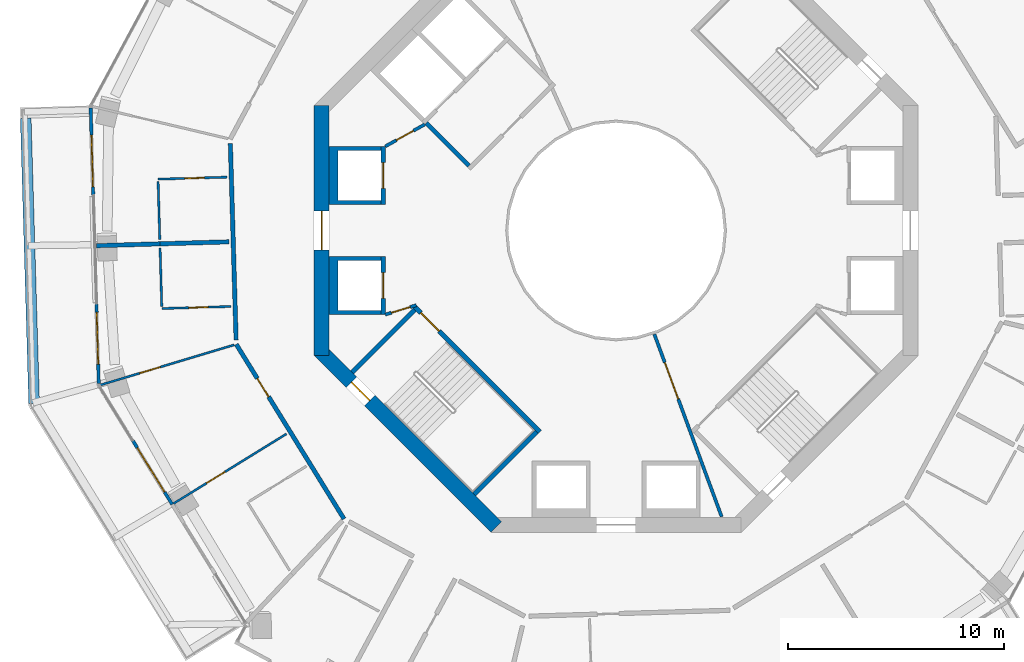
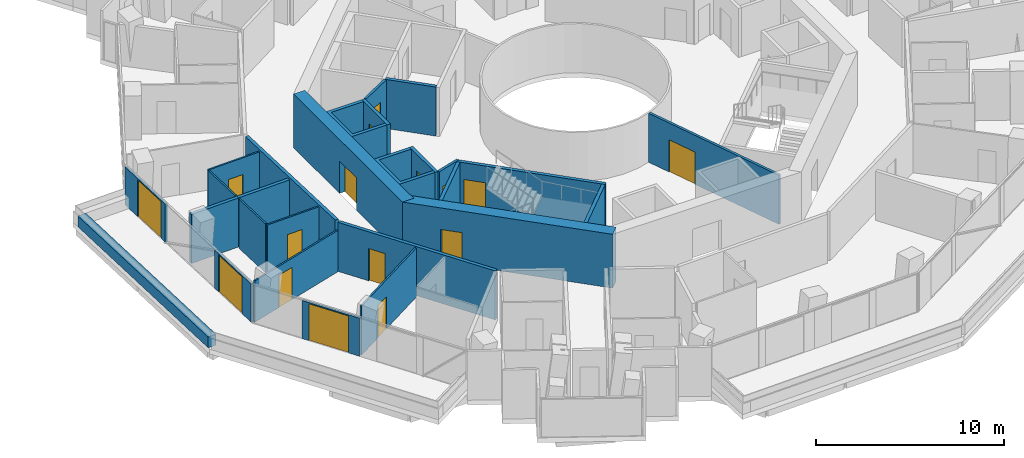
# One storey, part 15 of 22: 27 walls, 16 doors, 16 openings.
"""IFC4 building model written with IfcOpenShell, lengths in metres."""

from ifc_helpers import new_model, si_unit, direction, frame, frame_2d, origin, place, context, subcontext, project, spatial, polyline, rectangle, outline, extrude, material, layer, layer_set, type_object, element, fill, save


model = new_model("IFC4")

# Units and contexts
model_context = context("Model", 3, precision=1e-05, world=origin(), true_north=direction((0.0, 1.0)))
body_context = subcontext(model_context, "Body", "Model", "MODEL_VIEW")
ifc_project = project(units=[si_unit("LENGTHUNIT", "METRE"), si_unit("AREAUNIT", "SQUARE_METRE"), si_unit("VOLUMEUNIT", "CUBIC_METRE"), si_unit("PLANEANGLEUNIT", "RADIAN"), si_unit("MASSUNIT", "GRAM", prefix="KILO")], contexts=[model_context])

# Site, building, storey
site_placement = place(None, origin())
site = spatial("IfcSite", under=ifc_project, at=site_placement, CompositionType="ELEMENT")
building_placement = place(site_placement, origin())
building = spatial("IfcBuilding", under=site, at=building_placement, Name="Verdalira Terraces Hotel", CompositionType="ELEMENT")
storey_placement = place(building_placement, frame((0.0, 0.0, 162.0)))
storey = spatial("IfcBuildingStorey", under=building, at=storey_placement, Name="L39", CompositionType="ELEMENT", Elevation=162.0)

# Walls
ifc_material_1 = material(Name="Concrete C40", Category="concrete")
ifc_layer_1 = layer(ifc_material_1, 0.5)
ifc_layer_set_1 = layer_set([ifc_layer_1], Name="Balcony planter trough with tree")
wall_type_1 = type_object("IfcWallType", Name="Balcony planter trough with tree", PredefinedType="SOLIDWALL", material=ifc_layer_set_1)
wall_1_placement = place(storey_placement, frame((-27.372559, 5.199707, 0.0), z_axis=(0.0, 0.0, 1.0), x_axis=(0.029318754, -0.999570113, 0.0)))
element("IfcWall", 1, at=wall_1_placement, inside=storey, type_object=wall_type_1, Name="Balcony planter", PredefinedType="SOLIDWALL", context=body_context, shape_type="SweptSolid", body=[
    extrude(rectangle(XDim=13.223389, YDim=0.5, at=frame_2d((6.611816, 0.0))), origin(), (0.0, 0.0, 1.0), 0.699951),
])
ifc_material_2 = material(Name="Moisture-resistant gypsum board partition")
ifc_layer_2 = layer(ifc_material_2, 0.10009765625)
ifc_layer_set_2 = layer_set([ifc_layer_2], Name="Bathroom partition 100 mm")
wall_type_2 = type_object("IfcWallType", Name="Bathroom partition 100 mm", PredefinedType="PARTITIONING", material=ifc_layer_set_2)
for number, where, z_axis, x_axis, name in (
    (2, (-21.234375, 2.27832, 0.0), (0.0, 0.0, 1.0), (0.029388422, -0.999568067, 0.0), "Bathroom partition"),
    (3, (-21.143311, -0.820312, 0.0), (0.0, 0.0, 1.0), (0.029298074, -0.999570719, 0.0), "Bathroom partition"),
):
    element("IfcWall", number, at=place(storey_placement, frame(where, z_axis=z_axis, x_axis=x_axis)), inside=storey, type_object=wall_type_2, Name=name, PredefinedType="PARTITIONING", context=body_context, shape_type="SweptSolid", body=[
        extrude(rectangle(XDim=2.699951, YDim=0.100098, at=frame_2d((1.350098, 0.0))), origin(), (0.0, 0.0, 1.0), 3.189941),
    ])

# Wall, opening, door
wall_2_placement = place(storey_placement, frame((-18.038574, 2.472168, 0.0), z_axis=(0.0, 0.0, 1.0), x_axis=(-0.999570782, -0.029295923, 0.0)))
wall_2 = element("IfcWall", 4, at=wall_2_placement, inside=storey, type_object=wall_type_2, Name="Bathroom partition", PredefinedType="PARTITIONING", context=body_context, shape_type="SweptSolid", body=[
    extrude(rectangle(XDim=3.200195, YDim=0.100098, at=frame_2d((1.600098, 0.0))), origin(), (0.0, 0.0, 1.0), 3.189941),
])
opening_1_placement = place(wall_2_placement, frame((1.050049, 0.0, 0.0)))
opening_1 = element("IfcOpeningElement", 5, at=opening_1_placement, cuts=wall_2, Name="Opening L39-110", PredefinedType="OPENING", context=body_context, shape_type="SweptSolid", body=[
    extrude(rectangle(XDim=0.899902, YDim=2.100098, at=frame_2d((0.449951, 1.050049))), frame((0.0, 0.060059, 0.0), z_axis=(0.0, -1.0, 0.0), x_axis=(1.0, 0.0, 0.0)), (0.0, 0.0, 1.0), 0.120117),
])
ifc_material_3 = material(Name="Timber door", Category="wood")
door_type_1 = type_object("IfcDoorType", Name="Bathroom door 900 x 2100", OperationType="NOTDEFINED", PredefinedType="DOOR", material=ifc_material_3)
door_1_placement = place(opening_1_placement, origin())
door_1 = element("IfcDoor", 6, at=door_1_placement, inside=storey, type_object=door_type_1, Name="Bathroom door 3902", OperationType="SINGLE_SWING_RIGHT", OverallHeight=2.10009765625, OverallWidth=0.89990234375, PredefinedType="DOOR", context=body_context, shape_type="SweptSolid", body=[
    extrude(rectangle(XDim=0.899902, YDim=2.100098, at=frame_2d((0.449951, 1.050049))), frame((0.0, 0.024902, 0.0), z_axis=(0.0, -1.0, 0.0), x_axis=(1.0, 0.0, 0.0)), (0.0, 0.0, 1.0), 0.050049),
])
fill(opening_1, door_1)

wall_3_placement = place(storey_placement, frame((-21.061279, -3.618896, 0.0), z_axis=(0.0, 0.0, 1.0), x_axis=(0.999570717, 0.029298157, 0.0)))
wall_3 = element("IfcWall", 7, at=wall_3_placement, inside=storey, type_object=wall_type_2, Name="Bathroom partition", PredefinedType="PARTITIONING", context=body_context, shape_type="SweptSolid", body=[
    extrude(rectangle(XDim=3.199951, YDim=0.100098, at=frame_2d((1.600098, 0.0))), origin(), (0.0, 0.0, 1.0), 3.189941),
])
opening_2_placement = place(wall_3_placement, frame((1.25, 0.0, 0.0)))
opening_2 = element("IfcOpeningElement", 8, at=opening_2_placement, cuts=wall_3, Name="Opening L39-114", PredefinedType="OPENING", context=body_context, shape_type="SweptSolid", body=[
    extrude(rectangle(XDim=0.899902, YDim=2.100098, at=frame_2d((0.449951, 1.050049))), frame((0.0, 0.060059, 0.0), z_axis=(0.0, -1.0, 0.0), x_axis=(1.0, 0.0, 0.0)), (0.0, 0.0, 1.0), 0.120117),
])
door_2_placement = place(opening_2_placement, origin())
door_2 = element("IfcDoor", 9, at=door_2_placement, inside=storey, type_object=door_type_1, Name="Bathroom door 3903", OperationType="SINGLE_SWING_LEFT", OverallHeight=2.10009765625, OverallWidth=0.89990234375, PredefinedType="DOOR", context=body_context, shape_type="SweptSolid", body=[
    extrude(rectangle(XDim=0.899902, YDim=2.100098, at=frame_2d((0.449951, 1.050049))), frame((0.0, 0.024902, 0.0), z_axis=(0.0, -1.0, 0.0), x_axis=(1.0, 0.0, 0.0)), (0.0, 0.0, 1.0), 0.050049),
])
fill(opening_2, door_2)

wall_4_placement = place(storey_placement, frame((-15.282471, -9.431396, 0.0), z_axis=(0.0, 0.0, 1.0), x_axis=(-0.85100204, -0.525162382, 0.0)))
wall_4 = element("IfcWall", 10, at=wall_4_placement, inside=storey, type_object=wall_type_2, Name="Bathroom partition", PredefinedType="PARTITIONING", context=body_context, shape_type="SweptSolid", body=[
    extrude(rectangle(XDim=6.149902, YDim=0.100098, at=frame_2d((3.074951, 0.0))), origin(), (0.0, 0.0, 1.0), 3.189941),
])
opening_3_placement = place(wall_4_placement, frame((3.350098, 0.0, 0.0)))
opening_3 = element("IfcOpeningElement", 11, at=opening_3_placement, cuts=wall_4, Name="Opening L39-113", PredefinedType="OPENING", context=body_context, shape_type="SweptSolid", body=[
    extrude(rectangle(XDim=1.0, YDim=2.100098, at=frame_2d((0.5, 1.050049))), frame((0.0, 0.060059, 0.0), z_axis=(0.0, -1.0, 0.0), x_axis=(1.0, 0.0, 0.0)), (0.0, 0.0, 1.0), 0.120117),
])
ifc_material_4 = material(Name="Timber door", Category="wood")
door_type_2 = type_object("IfcDoorType", Name="Suite internal door 1000 x 2100", OperationType="NOTDEFINED", PredefinedType="DOOR", material=ifc_material_4)
door_3_placement = place(opening_3_placement, origin())
door_3 = element("IfcDoor", 12, at=door_3_placement, inside=storey, type_object=door_type_2, Name="Suite internal door 3903", OperationType="SINGLE_SWING_LEFT", OverallHeight=2.10009765625, OverallWidth=1.0, PredefinedType="DOOR", context=body_context, shape_type="SweptSolid", body=[
    extrude(rectangle(XDim=1.0, YDim=2.100098, at=frame_2d((0.5, 1.050049))), frame((0.0, 0.024902, 0.0), z_axis=(0.0, -1.0, 0.0), x_axis=(1.0, 0.0, 0.0)), (0.0, 0.0, 1.0), 0.050049),
])
fill(opening_3, door_3)

ifc_material_5 = material(Name="Moisture-resistant gypsum board partition")
ifc_layer_3 = layer(ifc_material_5, 0.10009765625)
ifc_layer_set_3 = layer_set([ifc_layer_3], Name="Bathroom partition 100 mm to beam soffit")
wall_type_3 = type_object("IfcWallType", Name="Bathroom partition 100 mm to beam soffit", PredefinedType="PARTITIONING", material=ifc_layer_set_3)
wall_5_placement = place(storey_placement, frame((-23.913818, -7.165283, 0.0), z_axis=(0.0, 0.0, 1.0), x_axis=(0.957926876, 0.28701237, 0.0)))
wall_5 = element("IfcWall", 13, at=wall_5_placement, inside=storey, type_object=wall_type_3, Name="Bathroom partition", PredefinedType="PARTITIONING", context=body_context, shape_type="SweptSolid", body=[
    extrude(rectangle(XDim=6.47583, YDim=0.100098, at=frame_2d((3.237793, 0.0))), origin(), (0.0, 0.0, 1.0), 2.689941),
])
opening_4_placement = place(wall_5_placement, frame((1.899902, 0.0, 0.0)))
opening_4 = element("IfcOpeningElement", 14, at=opening_4_placement, cuts=wall_5, Name="Opening L39-112", PredefinedType="OPENING", context=body_context, shape_type="SweptSolid", body=[
    extrude(rectangle(XDim=1.0, YDim=2.100098, at=frame_2d((0.5, 1.050049))), frame((0.0, 0.060059, 0.0), z_axis=(0.0, -1.0, 0.0), x_axis=(1.0, 0.0, 0.0)), (0.0, 0.0, 1.0), 0.120117),
])
door_4_placement = place(opening_4_placement, origin())
door_4 = element("IfcDoor", 15, at=door_4_placement, inside=storey, type_object=door_type_2, Name="Suite internal door 3903", OperationType="SINGLE_SWING_LEFT", OverallHeight=2.10009765625, OverallWidth=1.0, PredefinedType="DOOR", context=body_context, shape_type="SweptSolid", body=[
    extrude(rectangle(XDim=1.0, YDim=2.100098, at=frame_2d((0.5, 1.050049))), frame((0.0, 0.024902, 0.0), z_axis=(0.0, -1.0, 0.0), x_axis=(1.0, 0.0, 0.0)), (0.0, 0.0, 1.0), 0.050049),
])
fill(opening_4, door_4)

# Wall
ifc_material_6 = material(Name="Concrete C50", Category="concrete")
ifc_layer_4 = layer(ifc_material_6, 0.199951171875)
ifc_layer_set_4 = layer_set([ifc_layer_4], Name="Core RC wall 200 C50")
wall_type_4 = type_object("IfcWallType", Name="Core RC wall 200 C50", PredefinedType="SOLIDWALL", material=ifc_layer_set_4)
wall_6_placement = place(storey_placement, origin())
element("IfcWall", 16, at=wall_6_placement, inside=storey, type_object=wall_type_4, Name="L39 shaft wall W1", PredefinedType="SOLIDWALL", context=body_context, shape_type="SweptSolid", body=[
    extrude(outline(polyline([(-13.300049, 3.899902), (-10.899902, 3.899902), (-10.899902, 3.699951), (-12.899902, 3.699951), (-12.899902, 1.399902), (-10.899902, 1.399902), (-10.899902, 1.199951), (-13.300049, 1.199951), (-13.300049, 3.899902)])), origin(), (0.0, 0.0, 1.0), 3.189941),
])

# Wall, opening, door
wall_7_placement = place(storey_placement, frame((-10.800049, 1.199951, 0.0), z_axis=(0.0, 0.0, 1.0), x_axis=(0.0, 1.0, 0.0)))
wall_7 = element("IfcWall", 17, at=wall_7_placement, inside=storey, type_object=wall_type_4, Name="L39 shaft front wall W1", PredefinedType="SOLIDWALL", context=body_context, shape_type="SweptSolid", body=[
    extrude(rectangle(XDim=2.699951, YDim=0.199951, at=frame_2d((1.350098, 0.0))), origin(), (0.0, 0.0, 1.0), 3.189941),
])
opening_5_placement = place(wall_7_placement, frame((0.75, 0.0, 0.0)))
opening_5 = element("IfcOpeningElement", 18, at=opening_5_placement, cuts=wall_7, Name="Opening LD-L39-805", PredefinedType="OPENING", context=body_context, shape_type="SweptSolid", body=[
    extrude(rectangle(XDim=1.199951, YDim=2.100098, at=frame_2d((0.600098, 1.050049))), frame((0.0, 0.109863, 0.0), z_axis=(0.0, -1.0, 0.0), x_axis=(1.0, 0.0, 0.0)), (0.0, 0.0, 1.0), 0.219971),
])
ifc_material_7 = material(Name="Stainless steel", Category="steel")
door_type_3 = type_object("IfcDoorType", Name="Landing door 1200 x 2100", OperationType="NOTDEFINED", PredefinedType="DOOR", material=ifc_material_7)
door_5_placement = place(opening_5_placement, origin())
door_5 = element("IfcDoor", 19, at=door_5_placement, inside=storey, type_object=door_type_3, Name="Lift landing door LR5 L39", OperationType="DOUBLE_DOOR_SLIDING", OverallHeight=2.10009765625, OverallWidth=1.199951171875, PredefinedType="DOOR", context=body_context, shape_type="SweptSolid", body=[
    extrude(rectangle(XDim=1.199951, YDim=2.100098, at=frame_2d((0.600098, 1.050049))), frame((0.0, 0.024902, 0.0), z_axis=(0.0, -1.0, 0.0), x_axis=(1.0, 0.0, 0.0)), (0.0, 0.0, 1.0), 0.050049),
])
fill(opening_5, door_5)

# Wall
wall_8_placement = place(storey_placement, origin())
element("IfcWall", 20, at=wall_8_placement, inside=storey, type_object=wall_type_4, Name="L39 shaft wall W2", PredefinedType="SOLIDWALL", context=body_context, shape_type="SweptSolid", body=[
    extrude(outline(polyline([(-13.300049, -3.899902), (-13.300049, -1.199951), (-10.899902, -1.199951), (-10.899902, -1.399902), (-12.899902, -1.399902), (-12.899902, -3.699951), (-10.899902, -3.699951), (-10.899902, -3.899902), (-13.300049, -3.899902)])), origin(), (0.0, 0.0, 1.0), 3.189941),
])

# Wall, opening, door
wall_9_placement = place(storey_placement, frame((-10.800049, -1.199951, 0.0), z_axis=(0.0, 0.0, 1.0), x_axis=(0.0, -1.0, 0.0)))
wall_9 = element("IfcWall", 21, at=wall_9_placement, inside=storey, type_object=wall_type_4, Name="L39 shaft front wall W2", PredefinedType="SOLIDWALL", context=body_context, shape_type="SweptSolid", body=[
    extrude(rectangle(XDim=2.699951, YDim=0.199951, at=frame_2d((1.350098, 0.0))), origin(), (0.0, 0.0, 1.0), 3.189941),
])
opening_6_placement = place(wall_9_placement, frame((0.75, 0.0, 0.0)))
opening_6 = element("IfcOpeningElement", 22, at=opening_6_placement, cuts=wall_9, Name="Opening LD-L39-806", PredefinedType="OPENING", context=body_context, shape_type="SweptSolid", body=[
    extrude(rectangle(XDim=1.199951, YDim=2.100098, at=frame_2d((0.600098, 1.050049))), frame((0.0, 0.109863, 0.0), z_axis=(0.0, -1.0, 0.0), x_axis=(1.0, 0.0, 0.0)), (0.0, 0.0, 1.0), 0.219971),
])
door_6_placement = place(opening_6_placement, origin())
door_6 = element("IfcDoor", 23, at=door_6_placement, inside=storey, type_object=door_type_3, Name="Lift landing door LR6 L39", OperationType="DOUBLE_DOOR_SLIDING", OverallHeight=2.10009765625, OverallWidth=1.199951171875, PredefinedType="DOOR", context=body_context, shape_type="SweptSolid", body=[
    extrude(rectangle(XDim=1.199951, YDim=2.100098, at=frame_2d((0.600098, 1.050049))), frame((0.0, 0.024902, 0.0), z_axis=(0.0, -1.0, 0.0), x_axis=(1.0, 0.0, 0.0)), (0.0, 0.0, 1.0), 0.050049),
])
fill(opening_6, door_6)

wall_10_placement = place(storey_placement, frame((-3.5354, -9.33374, 0.0), z_axis=(0.0, 0.0, 1.0), x_axis=(-0.707106781, 0.707106781, 0.0)))
wall_10 = element("IfcWall", 24, at=wall_10_placement, inside=storey, type_object=wall_type_4, Name="L39 stair ST2 front wall", PredefinedType="SOLIDWALL", context=body_context, shape_type="SweptSolid", body=[
    extrude(rectangle(XDim=8.200195, YDim=0.199951, at=frame_2d((4.100098, 0.0))), origin(), (0.0, 0.0, 1.0), 3.189941),
])
opening_7_placement = place(wall_10_placement, frame((6.600098, 0.0, 0.0)))
opening_7 = element("IfcOpeningElement", 25, at=opening_7_placement, cuts=wall_10, Name="Opening L39-810", PredefinedType="OPENING", context=body_context, shape_type="SweptSolid", body=[
    extrude(rectangle(XDim=1.199951, YDim=2.100098, at=frame_2d((0.600098, 1.050049))), frame((0.0, 0.109863, 0.0), z_axis=(0.0, -1.0, 0.0), x_axis=(1.0, 0.0, 0.0)), (0.0, 0.0, 1.0), 0.219971),
])
ifc_material_8 = material(Name="Steel fire door", Category="steel")
door_type_4 = type_object("IfcDoorType", Name="Stair door 1200 x 2100", OperationType="NOTDEFINED", PredefinedType="DOOR", material=ifc_material_8)
door_7_placement = place(opening_7_placement, origin())
door_7 = element("IfcDoor", 26, at=door_7_placement, inside=storey, type_object=door_type_4, Name="Stair door ST2 L39", OperationType="SINGLE_SWING_RIGHT", OverallHeight=2.10009765625, OverallWidth=1.199951171875, PredefinedType="DOOR", context=body_context, shape_type="SweptSolid", body=[
    extrude(rectangle(XDim=1.199951, YDim=2.100098, at=frame_2d((0.600098, 1.050049))), frame((0.0, 0.024902, 0.0), z_axis=(0.0, -1.0, 0.0), x_axis=(1.0, 0.0, 0.0)), (0.0, 0.0, 1.0), 0.050049),
])
fill(opening_7, door_7)

# Walls
for number, where, z_axis, x_axis, name in (
    (27, (-9.33374, -3.677002, 0.0), (0.0, 0.0, 1.0), (-0.707106781, -0.707106781, 0.0), "L39 stair ST2 end wall 1"),
    (28, (-3.677002, -9.33374, 0.0), (0.0, 0.0, 1.0), (-0.707106781, -0.707106781, 0.0), "L39 stair ST2 end wall 2"),
):
    element("IfcWall", number, at=place(storey_placement, frame(where, z_axis=z_axis, x_axis=x_axis)), inside=storey, type_object=wall_type_4, Name=name, PredefinedType="SOLIDWALL", context=body_context, shape_type="SweptSolid", body=[
        extrude(rectangle(XDim=4.100098, YDim=0.199951, at=frame_2d((2.050049, 0.0))), origin(), (0.0, 0.0, 1.0), 3.189941),
    ])
wall_11_placement = place(storey_placement, frame((-6.823486, 3.005127, 0.0), z_axis=(0.0, 0.0, 1.0), x_axis=(-0.707106781, 0.707106781, 0.0)))
element("IfcWall", 29, at=wall_11_placement, inside=storey, type_object=wall_type_4, Name="L39 fire lobby wall", PredefinedType="SOLIDWALL", context=body_context, shape_type="SweptSolid", body=[
    extrude(rectangle(XDim=2.800049, YDim=0.199951, at=frame_2d((1.399902, 0.0))), origin(), (0.0, 0.0, 1.0), 3.189941),
])

# Wall, opening, door
ifc_material_9 = material(Name="Gypsum board partition")
ifc_layer_5 = layer(ifc_material_9, 0.14990234375)
ifc_layer_set_5 = layer_set([ifc_layer_5], Name="Core partition 150 mm")
wall_type_5 = type_object("IfcWallType", Name="Core partition 150 mm", PredefinedType="PARTITIONING", material=ifc_layer_set_5)
wall_12_placement = place(storey_placement, frame((-8.874268, 4.914307, 0.0), z_axis=(0.0, 0.0, 1.0), x_axis=(-0.874129705, -0.485692555, 0.0)))
wall_12 = element("IfcWall", 30, at=wall_12_placement, inside=storey, type_object=wall_type_5, Name="Room partition L39", PredefinedType="PARTITIONING", context=body_context, shape_type="SweptSolid", body=[
    extrude(rectangle(XDim=2.088623, YDim=0.149902, at=frame_2d((1.044434, 0.0))), origin(), (0.0, 0.0, 1.0), 3.189941),
])
opening_8_placement = place(wall_12_placement, frame((0.594238, 0.0, 0.0)))
opening_8 = element("IfcOpeningElement", 31, at=opening_8_placement, cuts=wall_12, Name="Opening L39-821", PredefinedType="OPENING", context=body_context, shape_type="SweptSolid", body=[
    extrude(rectangle(XDim=0.899902, YDim=2.100098, at=frame_2d((0.449951, 1.050049))), frame((0.0, 0.084961, 0.0), z_axis=(0.0, -1.0, 0.0), x_axis=(1.0, 0.0, 0.0)), (0.0, 0.0, 1.0), 0.169922),
])
ifc_material_10 = material(Name="Steel fire door", Category="steel")
door_type_5 = type_object("IfcDoorType", Name="Core room door 900 x 2100", OperationType="NOTDEFINED", PredefinedType="DOOR", material=ifc_material_10)
door_8_placement = place(opening_8_placement, origin())
door_8 = element("IfcDoor", 32, at=door_8_placement, inside=storey, type_object=door_type_5, Name="Door L39 room3", OperationType="SINGLE_SWING_LEFT", OverallHeight=2.10009765625, OverallWidth=0.89990234375, PredefinedType="DOOR", context=body_context, shape_type="SweptSolid", body=[
    extrude(rectangle(XDim=0.899902, YDim=2.100098, at=frame_2d((0.449951, 1.050049))), frame((0.0, 0.024902, 0.0), z_axis=(0.0, -1.0, 0.0), x_axis=(1.0, 0.0, 0.0)), (0.0, 0.0, 1.0), 0.050049),
])
fill(opening_8, door_8)

wall_13_placement = place(storey_placement, frame((-10.699951, -3.899902, 0.0), z_axis=(0.0, 0.0, 1.0), x_axis=(0.957084567, 0.289808785, 0.0)))
wall_13 = element("IfcWall", 33, at=wall_13_placement, inside=storey, type_object=wall_type_5, Name="Room partition L39", PredefinedType="PARTITIONING", context=body_context, shape_type="SweptSolid", body=[
    extrude(rectangle(XDim=1.501221, YDim=0.149902, at=frame_2d((0.750488, 0.0))), origin(), (0.0, 0.0, 1.0), 3.189941),
])
opening_9_placement = place(wall_13_placement, frame((0.300781, 0.0, 0.0)))
opening_9 = element("IfcOpeningElement", 34, at=opening_9_placement, cuts=wall_13, Name="Opening L39-822", PredefinedType="OPENING", context=body_context, shape_type="SweptSolid", body=[
    extrude(rectangle(XDim=0.899902, YDim=2.100098, at=frame_2d((0.449951, 1.050049))), frame((0.0, 0.084961, 0.0), z_axis=(0.0, -1.0, 0.0), x_axis=(1.0, 0.0, 0.0)), (0.0, 0.0, 1.0), 0.169922),
])
door_9_placement = place(opening_9_placement, origin())
door_9 = element("IfcDoor", 35, at=door_9_placement, inside=storey, type_object=door_type_5, Name="Door L39 room4", OperationType="SINGLE_SWING_LEFT", OverallHeight=2.10009765625, OverallWidth=0.89990234375, PredefinedType="DOOR", context=body_context, shape_type="SweptSolid", body=[
    extrude(rectangle(XDim=0.899902, YDim=2.100098, at=frame_2d((0.449951, 1.050049))), frame((0.0, 0.024902, 0.0), z_axis=(0.0, -1.0, 0.0), x_axis=(1.0, 0.0, 0.0)), (0.0, 0.0, 1.0), 0.050049),
])
fill(opening_9, door_9)

wall_14_placement = place(storey_placement, frame((1.775635, -4.812988, 0.0), z_axis=(0.0, 0.0, 1.0), x_axis=(0.346109381, -0.938194168, 0.0)))
wall_14 = element("IfcWall", 36, at=wall_14_placement, inside=storey, type_object=wall_type_5, Name="Gallery fire partition L39", PredefinedType="PARTITIONING", context=body_context, shape_type="SweptSolid", body=[
    extrude(rectangle(XDim=9.016357, YDim=0.149902, at=frame_2d((4.508301, 0.0))), origin(), (0.0, 0.0, 1.0), 3.189941),
])
opening_10_placement = place(wall_14_placement, frame((1.399902, 0.0, 0.0)))
opening_10 = element("IfcOpeningElement", 37, at=opening_10_placement, cuts=wall_14, Name="Opening L39-825", PredefinedType="OPENING", context=body_context, shape_type="SweptSolid", body=[
    extrude(rectangle(XDim=1.800049, YDim=2.100098, at=frame_2d((0.899902, 1.050049))), frame((0.0, 0.084961, 0.0), z_axis=(0.0, -1.0, 0.0), x_axis=(1.0, 0.0, 0.0)), (0.0, 0.0, 1.0), 0.169922),
])
ifc_material_11 = material(Name="Steel fire door", Category="steel")
door_type_6 = type_object("IfcDoorType", Name="Gallery fire door pair 1800 x 2100", OperationType="NOTDEFINED", PredefinedType="DOOR", material=ifc_material_11)
door_10_placement = place(opening_10_placement, origin())
door_10 = element("IfcDoor", 38, at=door_10_placement, inside=storey, type_object=door_type_6, Name="Door L39 split6", OperationType="DOUBLE_DOOR_SINGLE_SWING", OverallHeight=2.10009765625, OverallWidth=1.800048828125, PredefinedType="DOOR", context=body_context, shape_type="SweptSolid", body=[
    extrude(rectangle(XDim=1.800049, YDim=2.100098, at=frame_2d((0.899902, 1.050049))), frame((0.0, 0.024902, 0.0), z_axis=(0.0, -1.0, 0.0), x_axis=(1.0, 0.0, 0.0)), (0.0, 0.0, 1.0), 0.050049),
])
fill(opening_10, door_10)

ifc_material_12 = material(Name="Concrete C60", Category="concrete")
ifc_layer_6 = layer(ifc_material_12, 0.699951171875)
ifc_layer_set_6 = layer_set([ifc_layer_6], Name="Core wall 700 C60")
wall_type_6 = type_object("IfcWallType", Name="Core wall 700 C60", PredefinedType="SHEAR", material=ifc_layer_set_6)
wall_15_placement = place(storey_placement, frame((-13.649902, 5.799072, 0.0), z_axis=(0.0, 0.0, 1.0), x_axis=(0.0, -1.0, 0.0)))
wall_15 = element("IfcWall", 39, at=wall_15_placement, inside=storey, type_object=wall_type_6, Name="Core wall CW-L39-5", PredefinedType="SHEAR", context=body_context, shape_type="SweptSolid", body=[
    extrude(rectangle(XDim=11.598145, YDim=0.699951, at=frame_2d((5.799072, 0.0))), origin(), (0.0, 0.0, 1.0), 3.5),
])
opening_11_placement = place(wall_15_placement, frame((4.898926, 0.0, 0.0)))
opening_11 = element("IfcOpeningElement", 40, at=opening_11_placement, cuts=wall_15, Name="Opening L39-814", PredefinedType="OPENING", context=body_context, shape_type="SweptSolid", body=[
    extrude(rectangle(XDim=1.800049, YDim=2.100098, at=frame_2d((0.899902, 1.050049))), frame((0.0, 0.359863, 0.0), z_axis=(0.0, -1.0, 0.0), x_axis=(1.0, 0.0, 0.0)), (0.0, 0.0, 1.0), 0.719971),
])
ifc_material_13 = material(Name="Steel fire door", Category="steel")
door_type_7 = type_object("IfcDoorType", Name="Core entry door pair 1800 x 2100", OperationType="NOTDEFINED", PredefinedType="DOOR", material=ifc_material_13)
door_11_placement = place(opening_11_placement, origin())
door_11 = element("IfcDoor", 41, at=door_11_placement, inside=storey, type_object=door_type_7, Name="Core entry door L39 4", OperationType="DOUBLE_DOOR_SINGLE_SWING", OverallHeight=2.10009765625, OverallWidth=1.800048828125, PredefinedType="DOOR", context=body_context, shape_type="SweptSolid", body=[
    extrude(rectangle(XDim=1.800049, YDim=2.100098, at=frame_2d((0.899902, 1.050049))), frame((0.0, 0.024902, 0.0), z_axis=(0.0, -1.0, 0.0), x_axis=(1.0, 0.0, 0.0)), (0.0, 0.0, 1.0), 0.050049),
])
fill(opening_11, door_11)

wall_16_placement = place(storey_placement, frame((-13.752441, -5.551514, 0.0), z_axis=(0.0, 0.0, 1.0), x_axis=(0.707106781, -0.707106781, 0.0)))
wall_16 = element("IfcWall", 42, at=wall_16_placement, inside=storey, type_object=wall_type_6, Name="Core wall CW-L39-6", PredefinedType="SHEAR", context=body_context, shape_type="SweptSolid", body=[
    extrude(rectangle(XDim=11.5979, YDim=0.699951, at=frame_2d((5.798828, 0.0))), origin(), (0.0, 0.0, 1.0), 3.5),
])
opening_12_placement = place(wall_16_placement, frame((2.099121, 0.0, 0.0)))
opening_12 = element("IfcOpeningElement", 43, at=opening_12_placement, cuts=wall_16, Name="Opening L39-817", PredefinedType="OPENING", context=body_context, shape_type="SweptSolid", body=[
    extrude(rectangle(XDim=1.199951, YDim=2.100098, at=frame_2d((0.600098, 1.050049))), frame((0.0, 0.359863, 0.0), z_axis=(0.0, -1.0, 0.0), x_axis=(1.0, 0.0, 0.0)), (0.0, 0.0, 1.0), 0.719971),
])
door_12_placement = place(opening_12_placement, origin())
door_12 = element("IfcDoor", 44, at=door_12_placement, inside=storey, type_object=door_type_4, Name="Stair exit door ST2 L39", OperationType="SINGLE_SWING_LEFT", OverallHeight=2.10009765625, OverallWidth=1.199951171875, PredefinedType="DOOR", context=body_context, shape_type="SweptSolid", body=[
    extrude(rectangle(XDim=1.199951, YDim=2.100098, at=frame_2d((0.600098, 1.050049))), frame((0.0, 0.024902, 0.0), z_axis=(0.0, -1.0, 0.0), x_axis=(1.0, 0.0, 0.0)), (0.0, 0.0, 1.0), 0.050049),
])
fill(opening_12, door_12)

# Walls
ifc_material_14 = material(Name="Fire-rated gypsum board wall")
ifc_layer_7 = layer(ifc_material_14, 0.199951171875)
ifc_layer_set_7 = layer_set([ifc_layer_7], Name="Demising wall 200 mm")
wall_type_7 = type_object("IfcWallType", Name="Demising wall 200 mm", PredefinedType="SOLIDWALL", material=ifc_layer_set_7)
wall_17_placement = place(storey_placement, frame((-21.14917, -0.620361, 0.0), z_axis=(0.0, 0.0, 1.0), x_axis=(-0.999570753, -0.029296907, 0.0)))
element("IfcWall", 45, at=wall_17_placement, inside=storey, type_object=wall_type_7, Name="Demising wall", PredefinedType="SOLIDWALL", context=body_context, shape_type="SweptSolid", body=[
    extrude(rectangle(XDim=2.949951, YDim=0.199951, at=frame_2d((1.475098, 0.0))), origin(), (0.0, 0.0, 1.0), 3.189941),
])
wall_18_placement = place(storey_placement, frame((-17.950684, -0.526611, 0.0), z_axis=(0.0, 0.0, 1.0), x_axis=(-0.999570717, -0.029298157, 0.0)))
element("IfcWall", 46, at=wall_18_placement, inside=storey, type_object=wall_type_7, Name="Demising wall", PredefinedType="SOLIDWALL", context=body_context, shape_type="SweptSolid", body=[
    extrude(rectangle(XDim=3.199951, YDim=0.199951, at=frame_2d((1.600098, 0.0))), origin(), (0.0, 0.0, 1.0), 3.189941),
])
ifc_material_15 = material(Name="Fire-rated gypsum board wall")
ifc_layer_8 = layer(ifc_material_15, 0.199951171875)
ifc_layer_set_8 = layer_set([ifc_layer_8], Name="Guest corridor wall 200 mm")
wall_type_8 = type_object("IfcWallType", Name="Guest corridor wall 200 mm", PredefinedType="SOLIDWALL", material=ifc_layer_set_8)
wall_19_placement = place(storey_placement, frame((-17.884277, 4.035645, 0.0), z_axis=(0.0, 0.0, 1.0), x_axis=(0.029297532, -0.999570735, 0.0)))
element("IfcWall", 47, at=wall_19_placement, inside=storey, type_object=wall_type_8, Name="Guest corridor wall", PredefinedType="SOLIDWALL", context=body_context, shape_type="SweptSolid", body=[
    extrude(rectangle(XDim=9.116455, YDim=0.199951, at=frame_2d((4.558105, 0.0))), origin(), (0.0, 0.0, 1.0), 3.189941),
])

# Wall, opening, door
wall_20_placement = place(storey_placement, frame((-12.613281, -13.375488, 0.0), z_axis=(0.0, 0.0, 1.0), x_axis=(-0.525166229, 0.850999666, 0.0)))
wall_20 = element("IfcWall", 48, at=wall_20_placement, inside=storey, type_object=wall_type_8, Name="Guest corridor wall", PredefinedType="SOLIDWALL", context=body_context, shape_type="SweptSolid", body=[
    extrude(rectangle(XDim=9.516602, YDim=0.199951, at=frame_2d((4.758301, 0.0))), origin(), (0.0, 0.0, 1.0), 3.189941),
])
opening_13_placement = place(wall_20_placement, frame((6.658203, 0.0, 0.0)))
opening_13 = element("IfcOpeningElement", 49, at=opening_13_placement, cuts=wall_20, Name="Opening L39-111", PredefinedType="OPENING", context=body_context, shape_type="SweptSolid", body=[
    extrude(rectangle(XDim=1.0, YDim=2.100098, at=frame_2d((0.5, 1.050049))), frame((0.0, 0.109863, 0.0), z_axis=(0.0, -1.0, 0.0), x_axis=(1.0, 0.0, 0.0)), (0.0, 0.0, 1.0), 0.219971),
])
ifc_material_16 = material(Name="Timber fire door", Category="wood")
door_type_8 = type_object("IfcDoorType", Name="Guest entry door 1000 x 2100", OperationType="NOTDEFINED", PredefinedType="DOOR", material=ifc_material_16)
door_13_placement = place(opening_13_placement, origin())
door_13 = element("IfcDoor", 50, at=door_13_placement, inside=storey, type_object=door_type_8, Name="Guest entry door 3903", OperationType="SINGLE_SWING_LEFT", OverallHeight=2.10009765625, OverallWidth=1.0, PredefinedType="DOOR", context=body_context, shape_type="SweptSolid", body=[
    extrude(rectangle(XDim=1.0, YDim=2.100098, at=frame_2d((0.5, 1.050049))), frame((0.0, 0.024902, 0.0), z_axis=(0.0, -1.0, 0.0), x_axis=(1.0, 0.0, 0.0)), (0.0, 0.0, 1.0), 0.050049),
])
fill(opening_13, door_13)

ifc_material_17 = material(Name="Terracotta cladding", Category="masonry")
ifc_layer_9 = layer(ifc_material_17, 0.14990234375)
ifc_layer_set_9 = layer_set([ifc_layer_9], Name="Terracotta door pier 150")
wall_type_9 = type_object("IfcWallType", Name="Terracotta door pier 150", PredefinedType="SOLIDWALL", material=ifc_layer_set_9)
wall_21_placement = place(storey_placement, frame((-24.360596, 5.687988, 0.0), z_axis=(0.0, 0.0, 1.0), x_axis=(0.029349666, -0.999569206, 0.0)))
wall_21 = element("IfcWall", 51, at=wall_21_placement, inside=storey, type_object=wall_type_9, Name="Terracotta door pier", PredefinedType="SOLIDWALL", context=body_context, shape_type="SweptSolid", body=[
    extrude(rectangle(XDim=4.067627, YDim=0.149902, at=frame_2d((2.033691, 0.0))), origin(), (0.0, 0.0, 1.0), 2.475098),
])
opening_14_placement = place(wall_21_placement, frame((1.267822, 0.0, 0.0)))
opening_14 = element("IfcOpeningElement", 52, at=opening_14_placement, cuts=wall_21, Name="Opening L39-B02", PredefinedType="OPENING", context=body_context, shape_type="SweptSolid", body=[
    extrude(rectangle(XDim=2.399902, YDim=2.399902, at=frame_2d((1.199951, 1.199951))), frame((0.0, 0.084961, 0.0), z_axis=(0.0, -1.0, 0.0), x_axis=(1.0, 0.0, 0.0)), (0.0, 0.0, 1.0), 0.169922),
])
ifc_material_18 = material(Name="Clear glass", Category="glass")
door_type_9 = type_object("IfcDoorType", Name="Balcony sliding door 2400x2400", OperationType="NOTDEFINED", PredefinedType="DOOR", material=ifc_material_18)
door_14_placement = place(opening_14_placement, origin())
door_14 = element("IfcDoor", 53, at=door_14_placement, inside=storey, type_object=door_type_9, Name="Balcony sliding door", OperationType="SLIDING_TO_LEFT", OverallHeight=2.39990234375, OverallWidth=2.39990234375, PredefinedType="DOOR", context=body_context, shape_type="SweptSolid", body=[
    extrude(rectangle(XDim=2.399902, YDim=2.399902, at=frame_2d((1.199951, 1.199951))), frame((0.0, 0.024902, 0.0), z_axis=(0.0, -1.0, 0.0), x_axis=(1.0, 0.0, 0.0)), (0.0, 0.0, 1.0), 0.050049),
])
fill(opening_14, door_14)

wall_22_placement = place(storey_placement, frame((-24.093994, -3.397461, 0.0), z_axis=(0.0, 0.0, 1.0), x_axis=(0.029283026, -0.99957116, 0.0)))
wall_22 = element("IfcWall", 54, at=wall_22_placement, inside=storey, type_object=wall_type_9, Name="Terracotta door pier", PredefinedType="SOLIDWALL", context=body_context, shape_type="SweptSolid", body=[
    extrude(rectangle(XDim=3.710205, YDim=0.149902, at=frame_2d((1.85498, 0.0))), origin(), (0.0, 0.0, 1.0), 2.475098),
])
opening_15_placement = place(wall_22_placement, frame((0.399902, 0.0, 0.0)))
opening_15 = element("IfcOpeningElement", 55, at=opening_15_placement, cuts=wall_22, Name="Opening L39-B03", PredefinedType="OPENING", context=body_context, shape_type="SweptSolid", body=[
    extrude(rectangle(XDim=2.399902, YDim=2.399902, at=frame_2d((1.199951, 1.199951))), frame((0.0, 0.084961, 0.0), z_axis=(0.0, -1.0, 0.0), x_axis=(1.0, 0.0, 0.0)), (0.0, 0.0, 1.0), 0.169922),
])
door_15_placement = place(opening_15_placement, origin())
door_15 = element("IfcDoor", 56, at=door_15_placement, inside=storey, type_object=door_type_9, Name="Balcony sliding door", OperationType="SLIDING_TO_RIGHT", OverallHeight=2.39990234375, OverallWidth=2.39990234375, PredefinedType="DOOR", context=body_context, shape_type="SweptSolid", body=[
    extrude(rectangle(XDim=2.399902, YDim=2.399902, at=frame_2d((1.199951, 1.199951))), frame((0.0, 0.024902, 0.0), z_axis=(0.0, -1.0, 0.0), x_axis=(1.0, 0.0, 0.0)), (0.0, 0.0, 1.0), 0.050049),
])
fill(opening_15, door_15)

wall_23_placement = place(storey_placement, frame((-22.404785, -9.743164, 0.0), z_axis=(0.0, 0.0, 1.0), x_axis=(0.525159292, -0.851003947, 0.0)))
wall_23 = element("IfcWall", 57, at=wall_23_placement, inside=storey, type_object=wall_type_9, Name="Terracotta door pier", PredefinedType="SOLIDWALL", context=body_context, shape_type="SweptSolid", body=[
    extrude(rectangle(XDim=3.475098, YDim=0.149902, at=frame_2d((1.737549, 0.0))), origin(), (0.0, 0.0, 1.0), 2.475098),
])
opening_16_placement = place(wall_23_placement, frame((0.399902, 0.0, 0.0)))
opening_16 = element("IfcOpeningElement", 58, at=opening_16_placement, cuts=wall_23, Name="Opening L39-B04", PredefinedType="OPENING", context=body_context, shape_type="SweptSolid", body=[
    extrude(rectangle(XDim=2.399902, YDim=2.399902, at=frame_2d((1.199951, 1.199951))), frame((0.0, 0.084961, 0.0), z_axis=(0.0, -1.0, 0.0), x_axis=(1.0, 0.0, 0.0)), (0.0, 0.0, 1.0), 0.169922),
])
door_16_placement = place(opening_16_placement, origin())
door_16 = element("IfcDoor", 59, at=door_16_placement, inside=storey, type_object=door_type_9, Name="Balcony sliding door", OperationType="SLIDING_TO_RIGHT", OverallHeight=2.39990234375, OverallWidth=2.39990234375, PredefinedType="DOOR", context=body_context, shape_type="SweptSolid", body=[
    extrude(rectangle(XDim=2.399902, YDim=2.399902, at=frame_2d((1.199951, 1.199951))), frame((0.0, 0.024902, 0.0), z_axis=(0.0, -1.0, 0.0), x_axis=(1.0, 0.0, 0.0)), (0.0, 0.0, 1.0), 0.050049),
])
fill(opening_16, door_16)

save(model, "model.ifc")
